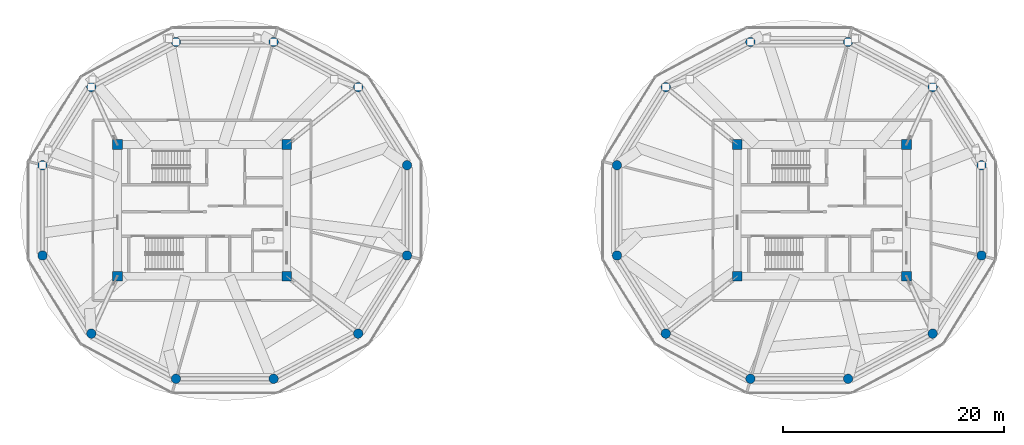
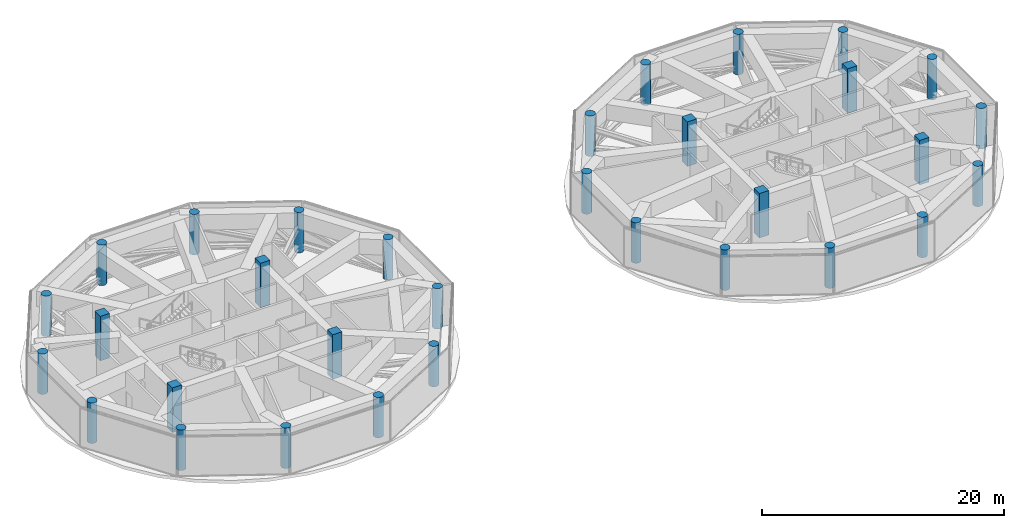
# One storey, part 1 of 23: 32 columns.
"""IFC4 building model written with IfcOpenShell, lengths in metres."""

from ifc_helpers import new_model, si_unit, direction, frame, origin, origin_2d, place, context, subcontext, project, spatial, rectangle, circle, extrude, source, transform, mapped, material, material_profile, profile_set, type_object, type_shapes, element, save


model = new_model("IFC4")

# Units and contexts
model_context = context("Model", 3, precision=1e-05, world=origin(), true_north=direction((0.0, 1.0)))
body_context = subcontext(model_context, "Body", "Model", "MODEL_VIEW")
ifc_project = project(units=[si_unit("LENGTHUNIT", "METRE"), si_unit("AREAUNIT", "SQUARE_METRE"), si_unit("VOLUMEUNIT", "CUBIC_METRE"), si_unit("PLANEANGLEUNIT", "RADIAN"), si_unit("MASSUNIT", "GRAM", prefix="KILO")], contexts=[model_context])

# Site, building, storey
site_placement = place(None, origin())
site = spatial("IfcSite", under=ifc_project, at=site_placement, CompositionType="ELEMENT")
building_placement = place(site_placement, origin())
building = spatial("IfcBuilding", under=site, at=building_placement, Name="Norrkilde Senior Care Towers", CompositionType="ELEMENT")
storey_placement = place(building_placement, frame((0.0, 0.0, 129.800048828125)))
storey = spatial("IfcBuildingStorey", under=building, at=storey_placement, Name="L40", CompositionType="ELEMENT", Elevation=129.800048828125)

# Columns
ifc_material = material(Name="Concrete C60/75", Category="concrete")
ifc_material_profile_1 = material_profile(ifc_material, rectangle(XDim=0.89990234375, YDim=0.89990234375, at=origin_2d()), Name="RC COL 900x900")
ifc_profile_set_1 = profile_set([ifc_material_profile_1], Name="Concrete C60/75")
column_type_1 = type_object("IfcColumnType", Name="Column Core Corner Z1-Z2 900", PredefinedType="COLUMN", material=ifc_profile_set_1)
shared_shape_1 = source(origin(), body_context, "Body", "SweptSolid", [
    extrude(rectangle(XDim=0.89990234375, YDim=0.89990234375, at=origin_2d()), origin(), (0.0, 0.0, 1.0), 4.5),
])
type_shapes(column_type_1, [shared_shape_1])
for number, where, z_axis, x_axis, name in (
    (1, (-35.64990234375, -5.949951171875, 0.0), (0.0, 0.0, 1.0), (1.0, 0.0, 0.0), "L40 Core W Corner Column 1"),
    (2, (-20.35009765625, -5.949951171875, 0.0), (0.0, 0.0, 1.0), (1.0, 0.0, 0.0), "L40 Core W Corner Column 2"),
    (3, (-20.35009765625, 5.949951171875, 0.0), (0.0, 0.0, 1.0), (1.0, 0.0, 0.0), "L40 Core W Corner Column 3"),
    (4, (-35.64990234375, 5.949951171875, 0.0), (0.0, 0.0, 1.0), (1.0, 0.0, 0.0), "L40 Core W Corner Column 4"),
    (5, (20.35009765625, -5.949951171875, 0.0), (0.0, 0.0, 1.0), (1.0, 0.0, 0.0), "L40 Core E Corner Column 1"),
    (6, (35.64990234375, -5.949951171875, 0.0), (0.0, 0.0, 1.0), (1.0, 0.0, 0.0), "L40 Core E Corner Column 2"),
    (7, (35.64990234375, 5.949951171875, 0.0), (0.0, 0.0, 1.0), (1.0, 0.0, 0.0), "L40 Core E Corner Column 3"),
    (8, (20.35009765625, 5.949951171875, 0.0), (0.0, 0.0, 1.0), (1.0, 0.0, 0.0), "L40 Core E Corner Column 4"),
):
    element("IfcColumn", number, at=place(storey_placement, frame(where, z_axis=z_axis, x_axis=x_axis)), inside=storey, type_object=column_type_1, Name=name, PredefinedType="COLUMN", context=body_context, shape_type="MappedRepresentation", body=[
        mapped(shared_shape_1, transform((0.0, 0.0, 0.0), x_axis=(1.0, 0.0, 0.0), y_axis=(0.0, 1.0, 0.0), z_axis=(0.0, 0.0, 1.0), scale=1.0)),
    ])
ifc_material_profile_2 = material_profile(ifc_material, circle(Radius=0.425048828125, at=origin_2d()), Name="RC CIR 850")
ifc_profile_set_2 = profile_set([ifc_material_profile_2], Name="Concrete C60/75")
column_type_2 = type_object("IfcColumnType", Name="Column Perimeter Z2 850", PredefinedType="COLUMN", material=ifc_profile_set_2)
shared_shape_2 = source(origin(), body_context, "Body", "SweptSolid", [
    extrude(circle(Radius=0.425048828125, at=origin_2d()), origin(), (0.0, 0.0, 1.0), 4.079833984375),
])
type_shapes(column_type_2, [shared_shape_2])
for number, where, z_axis, x_axis, name in (
    (9, (-9.48095703125, 4.076416015625, 0.0), (0.0, 0.0, 1.0), (1.0, 0.0, 0.0), "L40 Drum W Perimeter Column 01"),
    (10, (-13.893798828125, 11.136962890625, 0.0), (0.0, 0.0, 1.0), (1.0, 0.0, 0.0), "L40 Drum W Perimeter Column 02"),
    (11, (-21.537109375, 15.21337890625, 0.0), (0.0, 0.0, 1.0), (1.0, 0.0, 0.0), "L40 Drum W Perimeter Column 03"),
    (12, (-30.36279296875, 15.21337890625, 0.0), (0.0, 0.0, 1.0), (1.0, 0.0, 0.0), "L40 Drum W Perimeter Column 04"),
    (13, (-38.006103515625, 11.136962890625, 0.0), (0.0, 0.0, 1.0), (1.0, 0.0, 0.0), "L40 Drum W Perimeter Column 05"),
    (14, (-42.4189453125, 4.076416015625, 0.0), (0.0, 0.0, 1.0), (1.0, 0.0, 0.0), "L40 Drum W Perimeter Column 06"),
    (15, (-42.4189453125, -4.076416015625, 0.0), (0.0, 0.0, 1.0), (1.0, 0.0, 0.0), "L40 Drum W Perimeter Column 07"),
    (16, (-38.006103515625, -11.136962890625, 0.0), (0.0, 0.0, 1.0), (1.0, 0.0, 0.0), "L40 Drum W Perimeter Column 08"),
    (17, (-30.36279296875, -15.21337890625, 0.0), (0.0, 0.0, 1.0), (1.0, 0.0, 0.0), "L40 Drum W Perimeter Column 09"),
    (18, (-21.537109375, -15.21337890625, 0.0), (0.0, 0.0, 1.0), (1.0, 0.0, 0.0), "L40 Drum W Perimeter Column 10"),
    (19, (-13.893798828125, -11.136962890625, 0.0), (0.0, 0.0, 1.0), (1.0, 0.0, 0.0), "L40 Drum W Perimeter Column 11"),
    (20, (-9.48095703125, -4.076416015625, 0.0), (0.0, 0.0, 1.0), (1.0, 0.0, 0.0), "L40 Drum W Perimeter Column 12"),
    (21, (42.4189453125, 4.076416015625, 0.0), (0.0, 0.0, 1.0), (1.0, 0.0, 0.0), "L40 Drum E Perimeter Column 01"),
    (22, (38.006103515625, 11.136962890625, 0.0), (0.0, 0.0, 1.0), (1.0, 0.0, 0.0), "L40 Drum E Perimeter Column 02"),
    (23, (30.36279296875, 15.21337890625, 0.0), (0.0, 0.0, 1.0), (1.0, 0.0, 0.0), "L40 Drum E Perimeter Column 03"),
    (24, (21.537109375, 15.21337890625, 0.0), (0.0, 0.0, 1.0), (1.0, 0.0, 0.0), "L40 Drum E Perimeter Column 04"),
    (25, (13.893798828125, 11.136962890625, 0.0), (0.0, 0.0, 1.0), (1.0, 0.0, 0.0), "L40 Drum E Perimeter Column 05"),
    (26, (9.48095703125, 4.076416015625, 0.0), (0.0, 0.0, 1.0), (1.0, 0.0, 0.0), "L40 Drum E Perimeter Column 06"),
    (27, (9.48095703125, -4.076416015625, 0.0), (0.0, 0.0, 1.0), (1.0, 0.0, 0.0), "L40 Drum E Perimeter Column 07"),
    (28, (13.893798828125, -11.136962890625, 0.0), (0.0, 0.0, 1.0), (1.0, 0.0, 0.0), "L40 Drum E Perimeter Column 08"),
    (29, (21.537109375, -15.21337890625, 0.0), (0.0, 0.0, 1.0), (1.0, 0.0, 0.0), "L40 Drum E Perimeter Column 09"),
    (30, (30.36279296875, -15.21337890625, 0.0), (0.0, 0.0, 1.0), (1.0, 0.0, 0.0), "L40 Drum E Perimeter Column 10"),
    (31, (38.006103515625, -11.136962890625, 0.0), (0.0, 0.0, 1.0), (1.0, 0.0, 0.0), "L40 Drum E Perimeter Column 11"),
    (32, (42.4189453125, -4.076416015625, 0.0), (0.0, 0.0, 1.0), (1.0, 0.0, 0.0), "L40 Drum E Perimeter Column 12"),
):
    element("IfcColumn", number, at=place(storey_placement, frame(where, z_axis=z_axis, x_axis=x_axis)), inside=storey, type_object=column_type_2, Name=name, PredefinedType="COLUMN", context=body_context, shape_type="MappedRepresentation", body=[
        mapped(shared_shape_2, transform((0.0, 0.0, 0.0), x_axis=(1.0, 0.0, 0.0), y_axis=(0.0, 1.0, 0.0), z_axis=(0.0, 0.0, 1.0), scale=1.0)),
    ])

save(model, "model.ifc")
